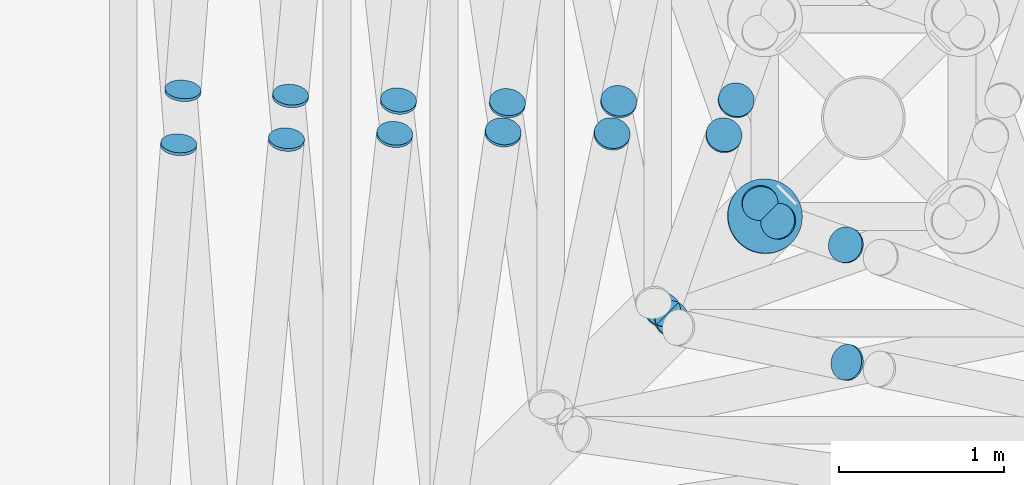
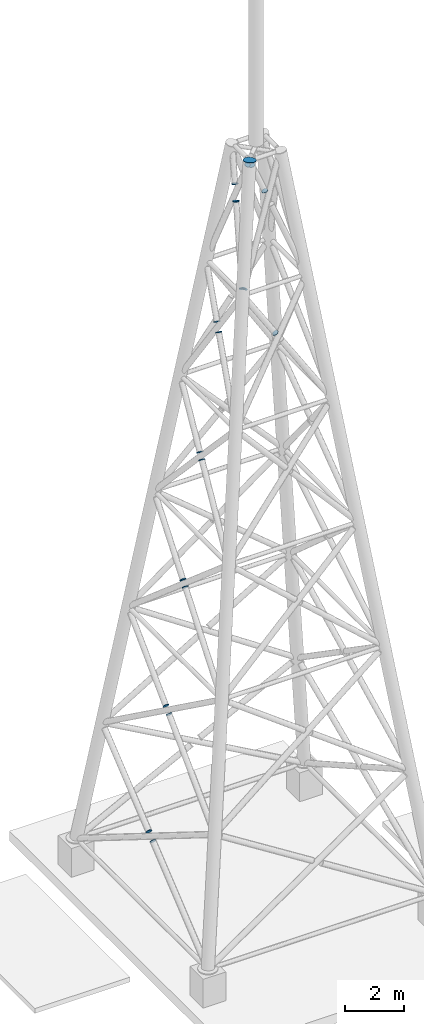
# One storey, part 4 of 10: 19 discrete accessories.
"""IFC4 building model written with IfcOpenShell, lengths in metres."""

from ifc_helpers import new_model, si_unit, direction, frame, origin, origin_2d, place, context, subcontext, project, spatial, circle, extrude, material, material_profile, profile_set, type_object, element, save


model = new_model("IFC4")

# Units and contexts
model_context = context("Model", 3, precision=1e-05, world=origin(), true_north=direction((0.0, 1.0)))
body_context = subcontext(model_context, "Body", "Model", "MODEL_VIEW")
ifc_project = project(units=[si_unit("LENGTHUNIT", "METRE"), si_unit("AREAUNIT", "SQUARE_METRE"), si_unit("VOLUMEUNIT", "CUBIC_METRE"), si_unit("PLANEANGLEUNIT", "RADIAN"), si_unit("MASSUNIT", "GRAM", prefix="KILO")], contexts=[model_context])

# Site, building, storey
site_placement = place(None, origin())
site = spatial("IfcSite", under=ifc_project, at=site_placement, CompositionType="ELEMENT")
building_placement = place(site_placement, origin())
building = spatial("IfcBuilding", under=site, at=building_placement, Name="Dhurran Vertical Campus", CompositionType="ELEMENT")
storey_placement = place(building_placement, frame((0.0, 0.0, 345.89990234375)))
storey = spatial("IfcBuildingStorey", under=building, at=storey_placement, Name="Upper Roof", CompositionType="ELEMENT", Elevation=345.89990234375)

# Discrete accessories
ifc_material_1 = material(Name="Steel S355J2", Category="steel")
ifc_material_profile_1 = material_profile(ifc_material_1, circle(Radius=0.109619140625, at=origin_2d()), Name="Tube end cap 219 x 20")
ifc_profile_set_1 = profile_set([ifc_material_profile_1], Name="Steel S355J2")
discrete_accessory_type_1 = type_object("IfcDiscreteAccessoryType", Name="Tube end cap 219 x 20", PredefinedType="USERDEFINED", material=ifc_profile_set_1)
for number, where, z_axis, x_axis, name in (
    (1, (-4.1630859375, -0.17236328125, 4.19140625), (0.060750157495, 0.85050220493, 0.522451354457), (-0.997458699831, 0.071247049988, 0.0), "EC1 mast diag 0 011 capB"),
    (2, (-4.13623046875, 0.17236328125, 4.39794921875), (-0.073301666614, -0.855186110494, -0.513111666296), (0.996346649042, -0.085401141346, 0.0), "EC1 mast diag 0 012 capA"),
    (3, (-3.508056640625, -0.140869140625, 9.230712890625), (0.0731163822, 0.816466267899, 0.572744993899), (-0.996014155971, 0.08919529755, 0.0), "EC1 mast diag 1 023 capB"),
    (4, (-3.48193359375, 0.140869140625, 9.430419921875), (-0.0731163822, -0.816466267899, -0.572744993899), (0.996014155971, -0.08919529755, 0.0), "EC1 mast diag 1 024 capA"),
):
    element("IfcDiscreteAccessory", number, at=place(storey_placement, frame(where, z_axis=z_axis, x_axis=x_axis)), inside=storey, type_object=discrete_accessory_type_1, Name=name, ObjectType="END CAP", PredefinedType="USERDEFINED", context=body_context, shape_type="SweptSolid", body=[
        extrude(circle(Radius=0.109619140625, at=origin_2d()), origin(), (0.0, 0.0, 1.0), 0.02001953125),
    ])
discrete_accessory_1_placement = place(storey_placement, frame((-2.8505859375, -0.10888671875, 14.2880859375), z_axis=(0.086301450836, 0.752055500146, 0.653425270619), x_axis=(-0.993480071526, 0.114005909847, 0.0)))
element("IfcDiscreteAccessory", 5, at=discrete_accessory_1_placement, inside=storey, type_object=discrete_accessory_type_1, Name="EC1 mast diag 2 035 capB", ObjectType="END CAP", PredefinedType="USERDEFINED", context=body_context, shape_type="SweptSolid", body=[
    extrude(circle(Radius=0.109619140625, at=origin_2d()), origin(), (0.0, 0.0, 1.0), 0.019775390625),
])
for number, where, z_axis, x_axis, name in (
    (6, (-2.825927734375, 0.10888671875, 14.4775390625), (-0.085608099119, -0.746013435179, -0.66040533606), (0.993480071526, -0.114005909847, 0.0), "EC1 mast diag 2 036 capA"),
    (7, (-2.19140625, -0.095458984375, 19.358154296875), (0.085608099119, 0.66040533606, 0.746013435179), (-0.991702506662, 0.128554028641, 0.0), "EC1 mast diag 3 047 capB"),
    (8, (-2.16357421875, 0.095458984375, 19.572509765625), (-0.097728262603, -0.659665772572, -0.74517800235), (0.989203462354, -0.146548661089, 0.0), "EC1 mast diag 3 048 capA"),
    (9, (-0.103515625, -1.486572265625, 24.7802734375), (0.525681799245, -0.110026423098, -0.843535910417), (0.204863154123, 0.978790625253, 0.0), "EC1 mast diag 4 051 capA"),
    (10, (-1.529296875, -0.103515625, 24.45166015625), (0.110026423098, 0.525681799245, 0.843535910417), (-0.978790625253, 0.204863154123, 0.0), "EC1 mast diag 4 059 capB"),
    (11, (-1.486572265625, 0.103515625, 24.7802734375), (-0.110026423098, -0.525681799245, -0.843535910417), (0.978790625253, -0.204863154123, 0.0), "EC1 mast diag 4 060 capA"),
    (12, (-1.164306640625, -1.219970703125, 26.831298828125), (-0.353842768022, -0.122014747594, -0.927312081712), (0.325990683319, -0.945372981626, 0.0), "EC1 mast diag 5 061 capA"),
    (13, (-0.109619140625, -0.772216796875, 30.275146484375), (0.343100156977, -0.122535770349, -0.931271854652), (0.336336396998, 0.941741911595, 0.0), "EC1 mast diag 5 063 capA"),
    (14, (-0.514404296875, -0.630126953125, 31.368896484375), (-0.343100156977, 0.122535770349, 0.931271854652), (-0.336336396998, -0.941741911595, 0.0), "EC1 mast diag 5 063 capB"),
    (15, (-0.630126953125, -0.514404296875, 31.368896484375), (0.122535770349, -0.343100156977, 0.931271854652), (0.941741911595, 0.336336396998, 0.0), "EC1 mast diag 5 070 capB"),
    (16, (-1.219970703125, -1.164306640625, 26.831298828125), (-0.122014747594, -0.353842768022, -0.927312081712), (0.945372981626, -0.325990683319, 0.0), "EC1 mast diag 5 071 capA"),
    (17, (-0.849365234375, -0.109619140625, 29.681884765625), (0.122535770349, 0.343100156977, 0.931271854652), (-0.941741911595, 0.336336396998, 0.0), "EC1 mast diag 5 071 capB"),
    (18, (-0.772216796875, 0.109619140625, 30.275146484375), (-0.122535770349, -0.343100156977, -0.931271854652), (0.941741911595, -0.336336396998, 0.0), "EC1 mast diag 5 072 capA"),
):
    element("IfcDiscreteAccessory", number, at=place(storey_placement, frame(where, z_axis=z_axis, x_axis=x_axis)), inside=storey, type_object=discrete_accessory_type_1, Name=name, ObjectType="END CAP", PredefinedType="USERDEFINED", context=body_context, shape_type="SweptSolid", body=[
        extrude(circle(Radius=0.109619140625, at=origin_2d()), origin(), (0.0, 0.0, 1.0), 0.02001953125),
    ])
ifc_material_2 = material(Name="Steel S355J2", Category="steel")
ifc_material_profile_2 = material_profile(ifc_material_2, circle(Radius=0.228515625, at=origin_2d()), Name="Tube end cap 457 x 20")
ifc_profile_set_2 = profile_set([ifc_material_profile_2], Name="Steel S355J2")
discrete_accessory_type_2 = type_object("IfcDiscreteAccessoryType", Name="Tube end cap 457 x 20", PredefinedType="USERDEFINED", material=ifc_profile_set_2)
discrete_accessory_2_placement = place(storey_placement, frame((-0.60009765625, -0.60009765625, 31.60009765625), z_axis=(0.133365178225, 0.133365178225, 0.982052676018), x_axis=(-0.707106781187, 0.707106781187, 0.0)))
element("IfcDiscreteAccessory", 19, at=discrete_accessory_2_placement, inside=storey, type_object=discrete_accessory_type_2, Name="EC1 mast leg1 cap", ObjectType="END CAP", PredefinedType="USERDEFINED", context=body_context, shape_type="SweptSolid", body=[
    extrude(circle(Radius=0.228515625, at=origin_2d()), origin(), (0.0, 0.0, 1.0), 0.02001953125),
])

save(model, "model.ifc")
